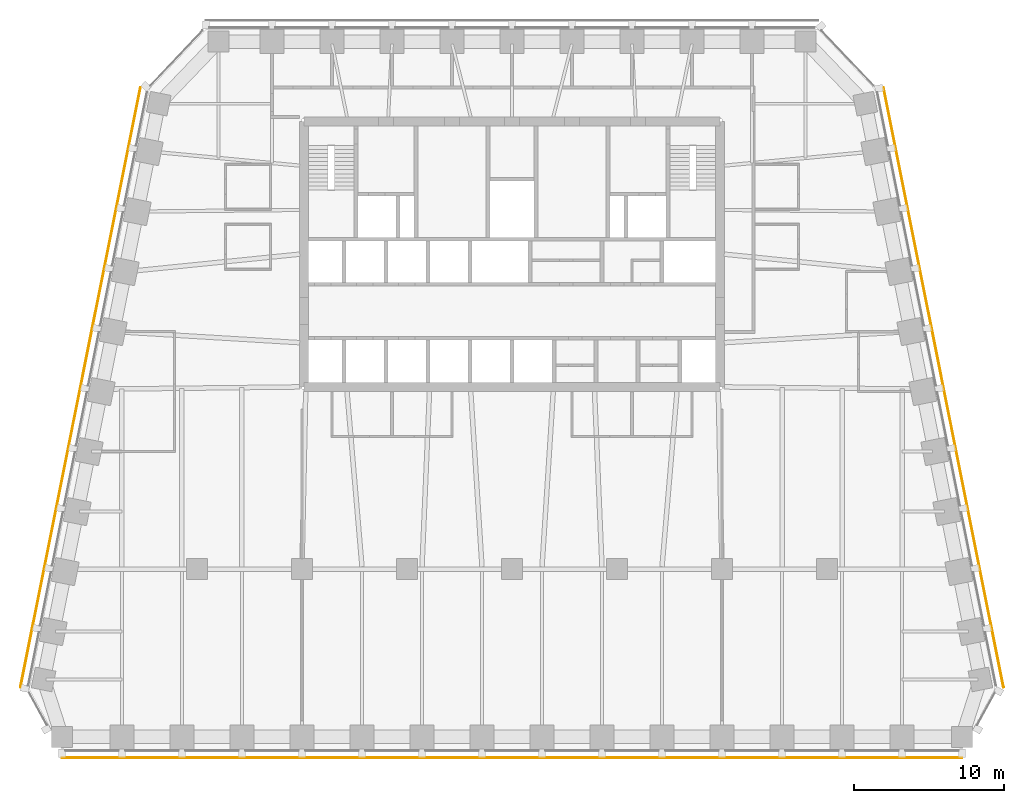
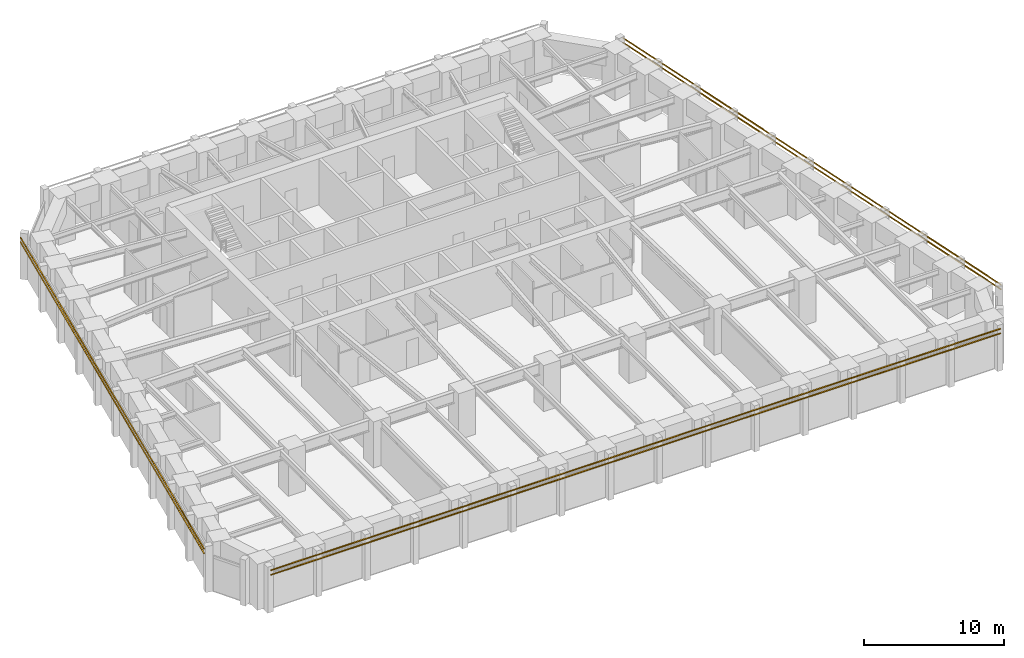
# One storey, part 9 of 10: 6 shading devices.
"""IFC4 building model written with IfcOpenShell, lengths in metres."""

from ifc_helpers import new_model, si_unit, direction, frame, origin, origin_2d, place, context, subcontext, project, spatial, rectangle, extrude, material, material_profile, profile_set, type_object, element, save


model = new_model("IFC4")

# Units and contexts
model_context = context("Model", 3, precision=1e-05, world=origin(), true_north=direction((0.0, 1.0)))
body_context = subcontext(model_context, "Body", "Model", "MODEL_VIEW")
ifc_project = project(units=[si_unit("LENGTHUNIT", "METRE"), si_unit("AREAUNIT", "SQUARE_METRE"), si_unit("VOLUMEUNIT", "CUBIC_METRE"), si_unit("PLANEANGLEUNIT", "RADIAN"), si_unit("MASSUNIT", "GRAM", prefix="KILO")], contexts=[model_context])

# Site, building, storey
site_placement = place(None, origin())
site = spatial("IfcSite", under=ifc_project, at=site_placement, CompositionType="ELEMENT")
building_placement = place(site_placement, origin())
building = spatial("IfcBuilding", under=site, at=building_placement, Name="Isbrekke Arena Tower", CompositionType="ELEMENT")
storey_placement = place(building_placement, frame((0.0, 0.0, 222.0)))
storey = spatial("IfcBuildingStorey", under=building, at=storey_placement, Name="L51", CompositionType="ELEMENT", Elevation=222.0)

# Shading devices
ifc_material = material(Name="Terracotta", Category="masonry")
ifc_material_profile = material_profile(ifc_material, rectangle(XDim=0.06005859375, YDim=0.06005859375, at=origin_2d()), Name="BAGUETTE 60X60")
ifc_profile_set = profile_set([ifc_material_profile], Name="Terracotta")
shading_device_type = type_object("IfcShadingDeviceType", Name="BG1 TERRACOTTA BAGUETTE 60 x 60", PredefinedType="USERDEFINED", material=ifc_profile_set)
for number, where, z_axis, x_axis, name in (
    (1, (-30.0, -18.580078125, 3.280029296875), (1.0, 0.0, 0.0), (0.0, 1.0, 0.0), "BG1 terracotta baguette S1 L51"),
    (2, (-30.0, -18.580078125, 3.679931640625), (1.0, 0.0, 0.0), (0.0, 1.0, 0.0), "BG1 terracotta baguette S2 L51"),
):
    element("IfcShadingDevice", number, at=place(storey_placement, frame(where, z_axis=z_axis, x_axis=x_axis)), inside=storey, type_object=shading_device_type, Name=name, ObjectType="TERRACOTTA BAGUETTE", PredefinedType="USERDEFINED", context=body_context, shape_type="SweptSolid", body=[
        extrude(rectangle(XDim=0.06005859375, YDim=0.06005859375, at=origin_2d()), origin(), (0.0, 0.0, 1.0), 60.0),
    ])
for number, where, z_axis, x_axis, name in (
    (3, (32.768798828125, -13.88623046875, 3.280029296875), (-0.196116135138, 0.980580675691, 0.0), (-0.980580675691, -0.196116135138, 0.0), "BG1 terracotta baguette E1 L51"),
    (4, (32.768798828125, -13.88623046875, 3.679931640625), (-0.196116135138, 0.980580675691, 0.0), (-0.980580675691, -0.196116135138, 0.0), "BG1 terracotta baguette E2 L51"),
    (5, (-24.768798828125, 26.11376953125, 3.280029296875), (-0.196116135138, -0.980580675691, 0.0), (0.980580675691, -0.196116135138, 0.0), "BG1 terracotta baguette W1 L51"),
    (6, (-24.768798828125, 26.11376953125, 3.679931640625), (-0.196116135138, -0.980580675691, 0.0), (0.980580675691, -0.196116135138, 0.0), "BG1 terracotta baguette W2 L51"),
):
    element("IfcShadingDevice", number, at=place(storey_placement, frame(where, z_axis=z_axis, x_axis=x_axis)), inside=storey, type_object=shading_device_type, Name=name, ObjectType="TERRACOTTA BAGUETTE", PredefinedType="USERDEFINED", context=body_context, shape_type="SweptSolid", body=[
        extrude(rectangle(XDim=0.06005859375, YDim=0.06005859375, at=origin_2d()), origin(), (0.0, 0.0, 1.0), 40.792236328125),
    ])

save(model, "model.ifc")
